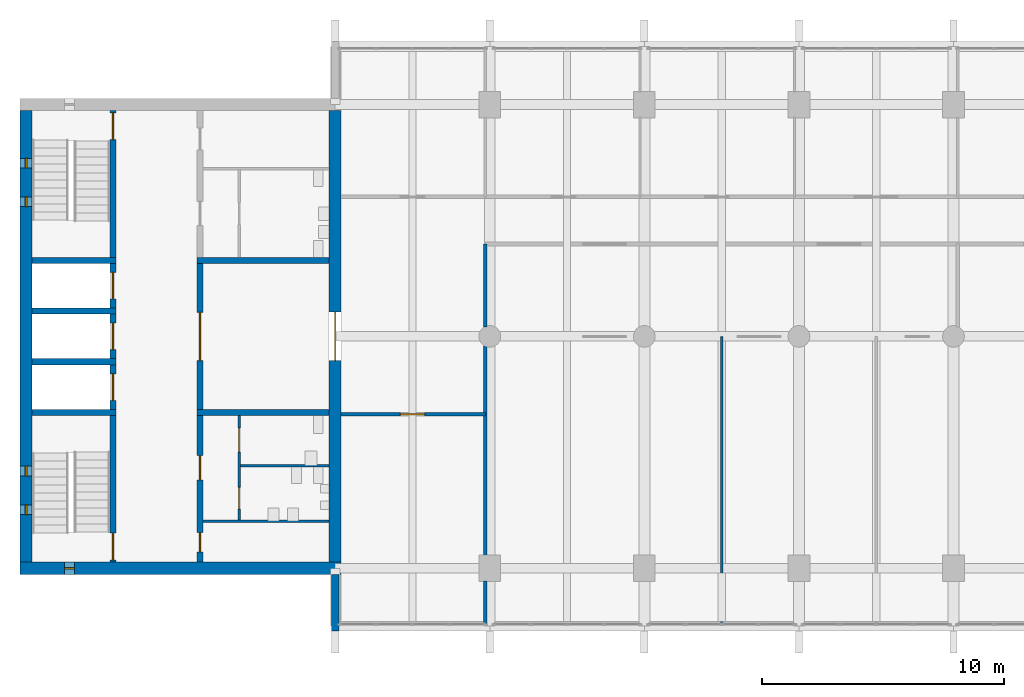
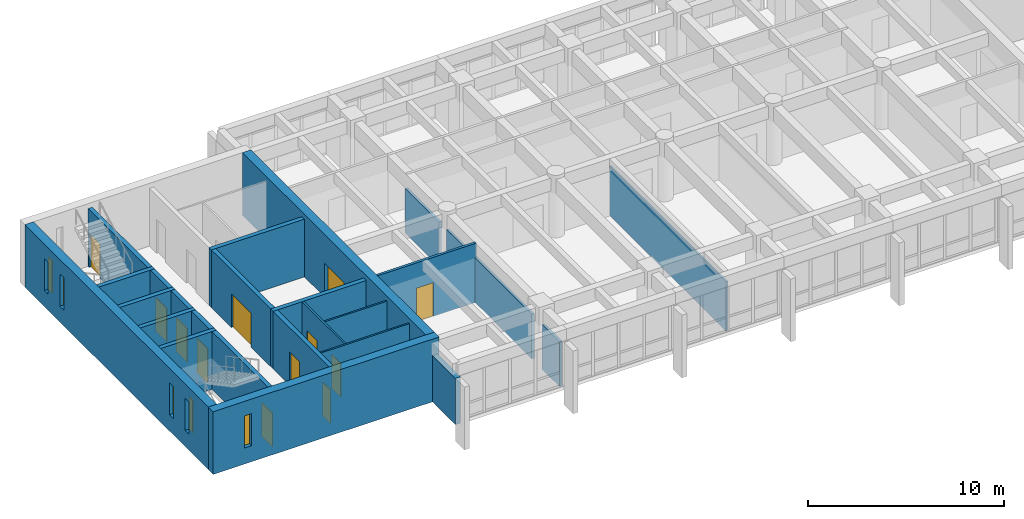
# One storey, part 9 of 15: 25 walls, 12 doors, 5 windows, 17 openings.
"""IFC4 building model written with IfcOpenShell, lengths in metres."""

from ifc_helpers import new_model, si_unit, direction, frame, frame_2d, origin, place, context, subcontext, project, spatial, rectangle, extrude, material, layer, layer_set, type_object, element, fill, save


model = new_model("IFC4")

# Units and contexts
model_context = context("Model", 3, precision=1e-05, world=origin(), true_north=direction((0.0, 1.0)))
body_context = subcontext(model_context, "Body", "Model", "MODEL_VIEW")
ifc_project = project(units=[si_unit("LENGTHUNIT", "METRE"), si_unit("AREAUNIT", "SQUARE_METRE"), si_unit("VOLUMEUNIT", "CUBIC_METRE"), si_unit("PLANEANGLEUNIT", "RADIAN"), si_unit("MASSUNIT", "GRAM", prefix="KILO")], contexts=[model_context])

# Site, building, storey
site_placement = place(None, origin())
site = spatial("IfcSite", under=ifc_project, at=site_placement, CompositionType="ELEMENT")
building_placement = place(site_placement, origin())
building = spatial("IfcBuilding", under=site, at=building_placement, Name="Fogon Plaza Fire Station and Headquarters Tower", CompositionType="ELEMENT")
storey_placement = place(building_placement, frame((0.0, 0.0, 44.39990234375)))
storey = spatial("IfcBuildingStorey", under=building, at=storey_placement, Name="L11", CompositionType="ELEMENT", Elevation=44.39990234375)

# Walls
ifc_material_1 = material(Name="Concrete C40", Category="concrete")
ifc_layer_1 = layer(ifc_material_1, 0.25)
ifc_layer_set_1 = layer_set([ifc_layer_1], Name="Concrete C40")
wall_type_1 = type_object("IfcWallType", Name="Core Wall RC 250", PredefinedType="SOLIDWALL", material=ifc_layer_set_1)
for number, where, z_axis, x_axis, name in (
    (1, (13.050048828125, 40.050048828125, 0.0), (0.0, 0.0, 1.0), (1.0, 0.0, 0.0), "Core A shaft wall"),
    (2, (13.050048828125, 42.14990234375, 0.0), (0.0, 0.0, 1.0), (1.0, 0.0, 0.0), "Core A shaft wall"),
    (3, (13.050048828125, 44.25, 0.0), (0.0, 0.0, 1.0), (1.0, 0.0, 0.0), "Core A shaft wall"),
    (4, (13.050048828125, 46.35009765625, 0.0), (0.0, 0.0, 1.0), (1.0, 0.0, 0.0), "Core A shaft wall"),
):
    element("IfcWall", number, at=place(storey_placement, frame(where, z_axis=z_axis, x_axis=x_axis)), inside=storey, type_object=wall_type_1, Name=name, PredefinedType="SOLIDWALL", context=body_context, shape_type="SweptSolid", body=[
        extrude(rectangle(XDim=3.474853515625, YDim=0.25, at=frame_2d((1.7373046875, 0.0))), origin(), (0.0, 0.0, 1.0), 3.60009765625),
    ])

# Wall, opening, door
wall_1_placement = place(storey_placement, frame((16.39990234375, 33.85009765625, 0.0), z_axis=(0.0, 0.0, 1.0), x_axis=(0.0, 1.0, 0.0)))
wall_1 = element("IfcWall", 5, at=wall_1_placement, inside=storey, type_object=wall_type_1, Name="Core A shaft wall", PredefinedType="SOLIDWALL", context=body_context, shape_type="SweptSolid", body=[
    extrude(rectangle(XDim=6.074951171875, YDim=0.25, at=frame_2d((3.03759765625, 0.0))), origin(), (0.0, 0.0, 1.0), 3.60009765625),
])
opening_1_placement = place(wall_1_placement, frame((0.10009765625, 0.0, 0.0)))
opening_1 = element("IfcOpeningElement", 6, at=opening_1_placement, cuts=wall_1, Name="Opening L11-D01", PredefinedType="OPENING", context=body_context, shape_type="SweptSolid", body=[
    extrude(rectangle(XDim=1.10009765625, YDim=2.10009765625, at=frame_2d((0.550048828125, 1.050048828125))), frame((0.0, 0.135009765625, 0.0), z_axis=(0.0, -1.0, 0.0), x_axis=(1.0, 0.0, 0.0)), (0.0, 0.0, 1.0), 0.27001953125),
])
ifc_material_2 = material(Name="Steel Fire Door Leaf", Category="steel")
door_type_1 = type_object("IfcDoorType", Name="Stair Door Single 1100x2100", OperationType="SINGLE_SWING_LEFT", PredefinedType="DOOR", material=ifc_material_2)
door_1_placement = place(opening_1_placement, origin())
door_1 = element("IfcDoor", 7, at=door_1_placement, inside=storey, type_object=door_type_1, Name="Stair door ST1", OperationType="SINGLE_SWING_LEFT", OverallHeight=2.10009765625, OverallWidth=1.10009765625, PredefinedType="DOOR", context=body_context, shape_type="SweptSolid", body=[
    extrude(rectangle(XDim=1.10009765625, YDim=2.10009765625, at=frame_2d((0.550048828125, 1.050048828125))), frame((0.0, 0.02490234375, 0.0), z_axis=(0.0, -1.0, 0.0), x_axis=(1.0, 0.0, 0.0)), (0.0, 0.0, 1.0), 0.050048828125),
])
fill(opening_1, door_1)

wall_2_placement = place(storey_placement, frame((16.39990234375, 40.175048828125, 0.0), z_axis=(0.0, 0.0, 1.0), x_axis=(0.0, 1.0, 0.0)))
wall_2 = element("IfcWall", 8, at=wall_2_placement, inside=storey, type_object=wall_type_1, Name="Core A shaft wall", PredefinedType="SOLIDWALL", context=body_context, shape_type="SweptSolid", body=[
    extrude(rectangle(XDim=1.849853515625, YDim=0.25, at=frame_2d((0.9248046875, 0.0))), origin(), (0.0, 0.0, 1.0), 3.60009765625),
])
opening_2_placement = place(wall_2_placement, frame((0.375, 0.0, 0.0)))
opening_2 = element("IfcOpeningElement", 9, at=opening_2_placement, cuts=wall_2, Name="Opening L11-D03", PredefinedType="OPENING", context=body_context, shape_type="SweptSolid", body=[
    extrude(rectangle(XDim=1.10009765625, YDim=2.10009765625, at=frame_2d((0.550048828125, 1.050048828125))), frame((0.0, 0.135009765625, 0.0), z_axis=(0.0, -1.0, 0.0), x_axis=(1.0, 0.0, 0.0)), (0.0, 0.0, 1.0), 0.27001953125),
])
ifc_material_3 = material(Name="Stainless Steel", Category="steel")
door_type_2 = type_object("IfcDoorType", Name="Lift Landing Door 1100x2100", OperationType="SLIDING_TO_LEFT", PredefinedType="DOOR", material=ifc_material_3)
door_2_placement = place(opening_2_placement, origin())
door_2 = element("IfcDoor", 10, at=door_2_placement, inside=storey, type_object=door_type_2, Name="Lift LP1 landing door", OperationType="SLIDING_TO_LEFT", OverallHeight=2.10009765625, OverallWidth=1.10009765625, PredefinedType="DOOR", context=body_context, shape_type="SweptSolid", body=[
    extrude(rectangle(XDim=1.10009765625, YDim=2.10009765625, at=frame_2d((0.550048828125, 1.050048828125))), frame((0.0, 0.02490234375, 0.0), z_axis=(0.0, -1.0, 0.0), x_axis=(1.0, 0.0, 0.0)), (0.0, 0.0, 1.0), 0.050048828125),
])
fill(opening_2, door_2)

wall_3_placement = place(storey_placement, frame((16.39990234375, 42.27490234375, 0.0), z_axis=(0.0, 0.0, 1.0), x_axis=(0.0, 1.0, 0.0)))
wall_3 = element("IfcWall", 11, at=wall_3_placement, inside=storey, type_object=wall_type_1, Name="Core A shaft wall", PredefinedType="SOLIDWALL", context=body_context, shape_type="SweptSolid", body=[
    extrude(rectangle(XDim=1.85009765625, YDim=0.25, at=frame_2d((0.925048828125, 0.0))), origin(), (0.0, 0.0, 1.0), 3.60009765625),
])
opening_3_placement = place(wall_3_placement, frame((0.375, 0.0, 0.0)))
opening_3 = element("IfcOpeningElement", 12, at=opening_3_placement, cuts=wall_3, Name="Opening L11-D04", PredefinedType="OPENING", context=body_context, shape_type="SweptSolid", body=[
    extrude(rectangle(XDim=1.10009765625, YDim=2.10009765625, at=frame_2d((0.550048828125, 1.050048828125))), frame((0.0, 0.135009765625, 0.0), z_axis=(0.0, -1.0, 0.0), x_axis=(1.0, 0.0, 0.0)), (0.0, 0.0, 1.0), 0.27001953125),
])
door_3_placement = place(opening_3_placement, origin())
door_3 = element("IfcDoor", 13, at=door_3_placement, inside=storey, type_object=door_type_2, Name="Lift LP2 landing door", OperationType="SLIDING_TO_LEFT", OverallHeight=2.10009765625, OverallWidth=1.10009765625, PredefinedType="DOOR", context=body_context, shape_type="SweptSolid", body=[
    extrude(rectangle(XDim=1.10009765625, YDim=2.10009765625, at=frame_2d((0.550048828125, 1.050048828125))), frame((0.0, 0.02490234375, 0.0), z_axis=(0.0, -1.0, 0.0), x_axis=(1.0, 0.0, 0.0)), (0.0, 0.0, 1.0), 0.050048828125),
])
fill(opening_3, door_3)

wall_4_placement = place(storey_placement, frame((16.39990234375, 44.375, 0.0), z_axis=(0.0, 0.0, 1.0), x_axis=(0.0, 1.0, 0.0)))
wall_4 = element("IfcWall", 14, at=wall_4_placement, inside=storey, type_object=wall_type_1, Name="Core A shaft wall", PredefinedType="SOLIDWALL", context=body_context, shape_type="SweptSolid", body=[
    extrude(rectangle(XDim=1.85009765625, YDim=0.25, at=frame_2d((0.925048828125, 0.0))), origin(), (0.0, 0.0, 1.0), 3.60009765625),
])
opening_4_placement = place(wall_4_placement, frame((0.375, 0.0, 0.0)))
opening_4 = element("IfcOpeningElement", 15, at=opening_4_placement, cuts=wall_4, Name="Opening L11-D05", PredefinedType="OPENING", context=body_context, shape_type="SweptSolid", body=[
    extrude(rectangle(XDim=1.10009765625, YDim=2.10009765625, at=frame_2d((0.550048828125, 1.050048828125))), frame((0.0, 0.135009765625, 0.0), z_axis=(0.0, -1.0, 0.0), x_axis=(1.0, 0.0, 0.0)), (0.0, 0.0, 1.0), 0.27001953125),
])
door_4_placement = place(opening_4_placement, origin())
door_4 = element("IfcDoor", 16, at=door_4_placement, inside=storey, type_object=door_type_2, Name="Lift FL1 landing door", OperationType="SLIDING_TO_LEFT", OverallHeight=2.10009765625, OverallWidth=1.10009765625, PredefinedType="DOOR", context=body_context, shape_type="SweptSolid", body=[
    extrude(rectangle(XDim=1.10009765625, YDim=2.10009765625, at=frame_2d((0.550048828125, 1.050048828125))), frame((0.0, 0.02490234375, 0.0), z_axis=(0.0, -1.0, 0.0), x_axis=(1.0, 0.0, 0.0)), (0.0, 0.0, 1.0), 0.050048828125),
])
fill(opening_4, door_4)

wall_5_placement = place(storey_placement, frame((16.39990234375, 46.47509765625, 0.0), z_axis=(0.0, 0.0, 1.0), x_axis=(0.0, 1.0, 0.0)))
wall_5 = element("IfcWall", 17, at=wall_5_placement, inside=storey, type_object=wall_type_1, Name="Core A shaft wall", PredefinedType="SOLIDWALL", context=body_context, shape_type="SweptSolid", body=[
    extrude(rectangle(XDim=6.074951171875, YDim=0.25, at=frame_2d((3.03759765625, 0.0))), origin(), (0.0, 0.0, 1.0), 3.60009765625),
])
opening_5_placement = place(wall_5_placement, frame((4.875, 0.0, 0.0)))
opening_5 = element("IfcOpeningElement", 18, at=opening_5_placement, cuts=wall_5, Name="Opening L11-D02", PredefinedType="OPENING", context=body_context, shape_type="SweptSolid", body=[
    extrude(rectangle(XDim=1.10009765625, YDim=2.10009765625, at=frame_2d((0.550048828125, 1.050048828125))), frame((0.0, 0.135009765625, 0.0), z_axis=(0.0, -1.0, 0.0), x_axis=(1.0, 0.0, 0.0)), (0.0, 0.0, 1.0), 0.27001953125),
])
door_5_placement = place(opening_5_placement, origin())
door_5 = element("IfcDoor", 19, at=door_5_placement, inside=storey, type_object=door_type_1, Name="Stair door ST2", OperationType="SINGLE_SWING_RIGHT", OverallHeight=2.10009765625, OverallWidth=1.10009765625, PredefinedType="DOOR", context=body_context, shape_type="SweptSolid", body=[
    extrude(rectangle(XDim=1.10009765625, YDim=2.10009765625, at=frame_2d((0.550048828125, 1.050048828125))), frame((0.0, 0.02490234375, 0.0), z_axis=(0.0, -1.0, 0.0), x_axis=(1.0, 0.0, 0.0)), (0.0, 0.0, 1.0), 0.050048828125),
])
fill(opening_5, door_5)

# Wall, openings, doors
wall_6_placement = place(storey_placement, frame((20.0, 33.85009765625, 0.0), z_axis=(0.0, 0.0, 1.0), x_axis=(0.0, 1.0, 0.0)))
wall_6 = element("IfcWall", 20, at=wall_6_placement, inside=storey, type_object=wall_type_1, Name="Core A shaft wall", PredefinedType="SOLIDWALL", context=body_context, shape_type="SweptSolid", body=[
    extrude(rectangle(XDim=6.074951171875, YDim=0.25, at=frame_2d((3.03759765625, 0.0))), origin(), (0.0, 0.0, 1.0), 3.60009765625),
])
opening_6_placement = place(wall_6_placement, frame((0.425048828125, 0.0, 0.0)))
opening_6 = element("IfcOpeningElement", 21, at=opening_6_placement, cuts=wall_6, Name="Opening L11-D08", PredefinedType="OPENING", context=body_context, shape_type="SweptSolid", body=[
    extrude(rectangle(XDim=0.800048828125, YDim=2.10009765625, at=frame_2d((0.39990234375, 1.050048828125))), frame((0.0, 0.135009765625, 0.0), z_axis=(0.0, -1.0, 0.0), x_axis=(1.0, 0.0, 0.0)), (0.0, 0.0, 1.0), 0.27001953125),
])
opening_7_placement = place(wall_6_placement, frame((3.41259765625, 0.0, 0.0)))
opening_7 = element("IfcOpeningElement", 22, at=opening_7_placement, cuts=wall_6, Name="Opening L11-D09", PredefinedType="OPENING", context=body_context, shape_type="SweptSolid", body=[
    extrude(rectangle(XDim=1.0, YDim=2.10009765625, at=frame_2d((0.5, 1.050048828125))), frame((0.0, 0.135009765625, 0.0), z_axis=(0.0, -1.0, 0.0), x_axis=(1.0, 0.0, 0.0)), (0.0, 0.0, 1.0), 0.27001953125),
])
ifc_material_4 = material(Name="Timber Door Leaf", Category="wood")
door_type_3 = type_object("IfcDoorType", Name="Cleaner Store Single 800x2100", OperationType="SINGLE_SWING_LEFT", PredefinedType="DOOR", material=ifc_material_4)
door_6_placement = place(opening_6_placement, frame((0.800048828125, 0.0, 0.0), z_axis=(0.0, 0.0, 1.0), x_axis=(-1.0, 0.0, 0.0)))
door_6 = element("IfcDoor", 23, at=door_6_placement, inside=storey, type_object=door_type_3, Name="Cleaner's store A door", OperationType="SINGLE_SWING_LEFT", OverallHeight=2.10009765625, OverallWidth=0.800048828125, PredefinedType="DOOR", context=body_context, shape_type="SweptSolid", body=[
    extrude(rectangle(XDim=0.800048828125, YDim=2.10009765625, at=frame_2d((0.39990234375, 1.050048828125))), frame((0.0, 0.02490234375, 0.0), z_axis=(0.0, -1.0, 0.0), x_axis=(1.0, 0.0, 0.0)), (0.0, 0.0, 1.0), 0.050048828125),
])
fill(opening_6, door_6)
ifc_material_5 = material(Name="Timber fire door", Category="wood")
door_type_4 = type_object("IfcDoorType", Name="WC Lobby Single 1000x2100", OperationType="SINGLE_SWING_LEFT", PredefinedType="DOOR", material=ifc_material_5)
door_7_placement = place(opening_7_placement, frame((1.0, 0.0, 0.0), z_axis=(0.0, 0.0, 1.0), x_axis=(-1.0, 0.0, 0.0)))
door_7 = element("IfcDoor", 24, at=door_7_placement, inside=storey, type_object=door_type_4, Name="Men's WC lobby A door", OperationType="SINGLE_SWING_RIGHT", OverallHeight=2.10009765625, OverallWidth=1.0, PredefinedType="DOOR", context=body_context, shape_type="SweptSolid", body=[
    extrude(rectangle(XDim=1.0, YDim=2.10009765625, at=frame_2d((0.5, 1.050048828125))), frame((0.0, 0.02490234375, 0.0), z_axis=(0.0, -1.0, 0.0), x_axis=(1.0, 0.0, 0.0)), (0.0, 0.0, 1.0), 0.050048828125),
])
fill(opening_7, door_7)

# Wall, opening, door
wall_7_placement = place(storey_placement, frame((20.0, 40.175048828125, 0.0), z_axis=(0.0, 0.0, 1.0), x_axis=(0.0, 1.0, 0.0)))
wall_7 = element("IfcWall", 25, at=wall_7_placement, inside=storey, type_object=wall_type_1, Name="Core A shaft wall", PredefinedType="SOLIDWALL", context=body_context, shape_type="SweptSolid", body=[
    extrude(rectangle(XDim=6.050048828125, YDim=0.25, at=frame_2d((3.02490234375, 0.0))), origin(), (0.0, 0.0, 1.0), 3.60009765625),
])
opening_8_placement = place(wall_7_placement, frame((2.02490234375, 0.0, 0.0)))
opening_8 = element("IfcOpeningElement", 26, at=opening_8_placement, cuts=wall_7, Name="Opening L11-D06", PredefinedType="OPENING", context=body_context, shape_type="SweptSolid", body=[
    extrude(rectangle(XDim=2.0, YDim=2.10009765625, at=frame_2d((1.0, 1.050048828125))), frame((0.0, 0.135009765625, 0.0), z_axis=(0.0, -1.0, 0.0), x_axis=(1.0, 0.0, 0.0)), (0.0, 0.0, 1.0), 0.27001953125),
])
ifc_material_6 = material(Name="Steel Fire Door Leaf", Category="steel")
door_type_5 = type_object("IfcDoorType", Name="Vestibule Double 2000x2100", OperationType="DOUBLE_DOOR_SINGLE_SWING", PredefinedType="DOOR", material=ifc_material_6)
door_8_placement = place(opening_8_placement, frame((2.0, 0.0, 0.0), z_axis=(0.0, 0.0, 1.0), x_axis=(-1.0, 0.0, 0.0)))
door_8 = element("IfcDoor", 27, at=door_8_placement, inside=storey, type_object=door_type_5, Name="Vestibule A door", OperationType="DOUBLE_DOOR_SINGLE_SWING", OverallHeight=2.10009765625, OverallWidth=2.0, PredefinedType="DOOR", context=body_context, shape_type="SweptSolid", body=[
    extrude(rectangle(XDim=2.0, YDim=2.10009765625, at=frame_2d((1.0, 1.050048828125))), frame((0.0, 0.02490234375, 0.0), z_axis=(0.0, -1.0, 0.0), x_axis=(1.0, 0.0, 0.0)), (0.0, 0.0, 1.0), 0.050048828125),
])
fill(opening_8, door_8)

# Walls
for number, where, z_axis, x_axis, name in (
    (28, (19.875, 40.050048828125, 0.0), (0.0, 0.0, 1.0), (1.0, 0.0, 0.0), "Core A shaft wall"),
    (29, (19.875, 46.35009765625, 0.0), (0.0, 0.0, 1.0), (1.0, 0.0, 0.0), "Core A shaft wall"),
):
    element("IfcWall", number, at=place(storey_placement, frame(where, z_axis=z_axis, x_axis=x_axis)), inside=storey, type_object=wall_type_1, Name=name, PredefinedType="SOLIDWALL", context=body_context, shape_type="SweptSolid", body=[
        extrude(rectangle(XDim=5.47509765625, YDim=0.25, at=frame_2d((2.737548828125, 0.0))), origin(), (0.0, 0.0, 1.0), 3.60009765625),
    ])
ifc_material_7 = material(Name="Concrete C40", Category="concrete")
ifc_layer_2 = layer(ifc_material_7, 0.300048828125)
ifc_layer_set_2 = layer_set([ifc_layer_2], Name="Concrete C40")
wall_type_2 = type_object("IfcWallType", Name="Fair-faced RC Return Panel 300", PredefinedType="SOLIDWALL", material=ifc_layer_set_2)
wall_8_placement = place(storey_placement, frame((25.60009765625, 31.0, 0.0), z_axis=(0.0, 0.0, 1.0), x_axis=(0.0, 1.0, 0.0)))
element("IfcWall", 30, at=wall_8_placement, inside=storey, type_object=wall_type_2, Name="Bar end return WS L11", PredefinedType="SOLIDWALL", context=body_context, shape_type="SweptSolid", body=[
    extrude(rectangle(XDim=2.35009765625, YDim=0.300048828125, at=frame_2d((1.175048828125, 0.0))), origin(), (0.0, 0.0, 1.0), 2.880126953125),
])
ifc_material_8 = material(Name="Blockwork", Category="masonry")
ifc_layer_3 = layer(ifc_material_8, 0.10009765625)
ifc_layer_set_3 = layer_set([ifc_layer_3], Name="Blockwork")
wall_type_3 = type_object("IfcWallType", Name="Partition Blockwork 100", PredefinedType="PARTITIONING", material=ifc_layer_set_3)
wall_9_placement = place(storey_placement, frame((20.125, 35.550048828125, 0.0), z_axis=(0.0, 0.0, 1.0), x_axis=(1.0, 0.0, 0.0)))
element("IfcWall", 31, at=wall_9_placement, inside=storey, type_object=wall_type_3, Name="Cleaner's store partition", PredefinedType="PARTITIONING", context=body_context, shape_type="SweptSolid", body=[
    extrude(rectangle(XDim=5.22509765625, YDim=0.10009765625, at=frame_2d((2.612548828125, 0.0))), origin(), (0.0, 0.0, 1.0), 3.60009765625),
])

# Wall, openings, doors
wall_10_placement = place(storey_placement, frame((21.625, 35.60009765625, 0.0), z_axis=(0.0, 0.0, 1.0), x_axis=(0.0, 1.0, 0.0)))
wall_10 = element("IfcWall", 32, at=wall_10_placement, inside=storey, type_object=wall_type_3, Name="WC block partition", PredefinedType="PARTITIONING", context=body_context, shape_type="SweptSolid", body=[
    extrude(rectangle(XDim=4.324951171875, YDim=0.10009765625, at=frame_2d((2.16259765625, 0.0))), origin(), (0.0, 0.0, 1.0), 3.60009765625),
])
opening_9_placement = place(wall_10_placement, frame((0.449951171875, 0.0, 0.0)))
opening_9 = element("IfcOpeningElement", 33, at=opening_9_placement, cuts=wall_10, Name="Opening L11-D10", PredefinedType="OPENING", context=body_context, shape_type="SweptSolid", body=[
    extrude(rectangle(XDim=0.89990234375, YDim=2.10009765625, at=frame_2d((0.449951171875, 1.050048828125))), frame((0.0, 0.06005859375, 0.0), z_axis=(0.0, -1.0, 0.0), x_axis=(1.0, 0.0, 0.0)), (0.0, 0.0, 1.0), 0.1201171875),
])
opening_10_placement = place(wall_10_placement, frame((2.8125, 0.0, 0.0)))
opening_10 = element("IfcOpeningElement", 34, at=opening_10_placement, cuts=wall_10, Name="Opening L11-D11", PredefinedType="OPENING", context=body_context, shape_type="SweptSolid", body=[
    extrude(rectangle(XDim=1.0, YDim=2.10009765625, at=frame_2d((0.5, 1.050048828125))), frame((0.0, 0.06005859375, 0.0), z_axis=(0.0, -1.0, 0.0), x_axis=(1.0, 0.0, 0.0)), (0.0, 0.0, 1.0), 0.1201171875),
])
ifc_material_9 = material(Name="Timber Door Leaf", Category="wood")
door_type_6 = type_object("IfcDoorType", Name="Accessible WC Single 1000x2100", OperationType="SINGLE_SWING_LEFT", PredefinedType="DOOR", material=ifc_material_9)
door_9_placement = place(opening_10_placement, frame((1.0, 0.0, 0.0), z_axis=(0.0, 0.0, 1.0), x_axis=(-1.0, 0.0, 0.0)))
door_9 = element("IfcDoor", 35, at=door_9_placement, inside=storey, type_object=door_type_6, Name="Accessible WC A door", OperationType="SINGLE_SWING_RIGHT", OverallHeight=2.10009765625, OverallWidth=1.0, PredefinedType="DOOR", context=body_context, shape_type="SweptSolid", body=[
    extrude(rectangle(XDim=1.0, YDim=2.10009765625, at=frame_2d((0.5, 1.050048828125))), frame((0.0, 0.02490234375, 0.0), z_axis=(0.0, -1.0, 0.0), x_axis=(1.0, 0.0, 0.0)), (0.0, 0.0, 1.0), 0.050048828125),
])
fill(opening_10, door_9)
ifc_material_10 = material(Name="Timber Door Leaf", Category="wood")
door_type_7 = type_object("IfcDoorType", Name="WC Single 900x2100", OperationType="SINGLE_SWING_LEFT", PredefinedType="DOOR", material=ifc_material_10)
door_10_placement = place(opening_9_placement, frame((0.89990234375, 0.0, 0.0), z_axis=(0.0, 0.0, 1.0), x_axis=(-1.0, 0.0, 0.0)))
door_10 = element("IfcDoor", 36, at=door_10_placement, inside=storey, type_object=door_type_7, Name="Men's WC A door", OperationType="SINGLE_SWING_RIGHT", OverallHeight=2.10009765625, OverallWidth=0.89990234375, PredefinedType="DOOR", context=body_context, shape_type="SweptSolid", body=[
    extrude(rectangle(XDim=0.89990234375, YDim=2.10009765625, at=frame_2d((0.449951171875, 1.050048828125))), frame((0.0, 0.02490234375, 0.0), z_axis=(0.0, -1.0, 0.0), x_axis=(1.0, 0.0, 0.0)), (0.0, 0.0, 1.0), 0.050048828125),
])
fill(opening_9, door_10)

# Wall
wall_11_placement = place(storey_placement, frame((21.675048828125, 37.85009765625, 0.0), z_axis=(0.0, 0.0, 1.0), x_axis=(1.0, 0.0, 0.0)))
element("IfcWall", 37, at=wall_11_placement, inside=storey, type_object=wall_type_3, Name="WC block partition", PredefinedType="PARTITIONING", context=body_context, shape_type="SweptSolid", body=[
    extrude(rectangle(XDim=3.675048828125, YDim=0.10009765625, at=frame_2d((1.83740234375, 0.0))), origin(), (0.0, 0.0, 1.0), 3.60009765625),
])

# Wall, opening, window
ifc_material_11 = material(Name="Concrete C40", Category="concrete")
ifc_layer_4 = layer(ifc_material_11, 0.5)
ifc_layer_set_4 = layer_set([ifc_layer_4], Name="Concrete C40")
wall_type_4 = type_object("IfcWallType", Name="Shear wall 500 SW50", PredefinedType="SHEAR", material=ifc_layer_set_4)
wall_12_placement = place(storey_placement, frame((12.550048828125, 33.60009765625, 0.0), z_axis=(0.0, 0.0, 1.0), x_axis=(1.0, 0.0, 0.0)))
wall_12 = element("IfcWall", 38, at=wall_12_placement, inside=storey, type_object=wall_type_4, Name="wall-coreA-S-L11", PredefinedType="SHEAR", context=body_context, shape_type="SweptSolid", body=[
    extrude(rectangle(XDim=13.300048828125, YDim=0.5, at=frame_2d((6.64990234375, 0.0))), origin(), (0.0, 0.0, 1.0), 3.900146484375),
])
opening_11_placement = place(wall_12_placement, frame((1.85009765625, 0.0, 1.0)))
opening_11 = element("IfcOpeningElement", 39, at=opening_11_placement, cuts=wall_12, Name="Opening WS1", PredefinedType="OPENING", context=body_context, shape_type="SweptSolid", body=[
    extrude(rectangle(XDim=0.39990234375, YDim=2.0, at=frame_2d((0.199951171875, 1.0))), frame((0.0, 0.260009765625, 0.0), z_axis=(0.0, -1.0, 0.0), x_axis=(1.0, 0.0, 0.0)), (0.0, 0.0, 1.0), 0.52001953125),
])
ifc_material_12 = material(Name="Aluminium framed double glazing", Category="aluminium")
window_type = type_object("IfcWindowType", Name="Slit Window WS1 400x2000", PartitioningType="SINGLE_PANEL", PredefinedType="WINDOW", material=ifc_material_12)
window_1_placement = place(opening_11_placement, origin())
window_1 = element("IfcWindow", 40, at=window_1_placement, inside=storey, type_object=window_type, Name="Slit window A5 L11", OverallHeight=2.0, OverallWidth=0.39990234375, PartitioningType="SINGLE_PANEL", PredefinedType="WINDOW", context=body_context, shape_type="SweptSolid", body=[
    extrude(rectangle(XDim=0.39990234375, YDim=2.0, at=frame_2d((0.199951171875, 1.0))), frame((0.0, 0.030029296875, 0.0), z_axis=(0.0, -1.0, 0.0), x_axis=(1.0, 0.0, 0.0)), (0.0, 0.0, 1.0), 0.06005859375),
])
fill(opening_11, window_1)

# Wall, opening, door
wall_13_placement = place(storey_placement, frame((25.60009765625, 33.85009765625, 0.0), z_axis=(0.0, 0.0, 1.0), x_axis=(0.0, 1.0, 0.0)))
wall_13 = element("IfcWall", 41, at=wall_13_placement, inside=storey, type_object=wall_type_4, Name="wall-coreA-E-L11", PredefinedType="SHEAR", context=body_context, shape_type="SweptSolid", body=[
    extrude(rectangle(XDim=18.699951171875, YDim=0.5, at=frame_2d((9.35009765625, 0.0))), origin(), (0.0, 0.0, 1.0), 3.900146484375),
])
opening_12_placement = place(wall_13_placement, frame((8.35009765625, 0.0, 0.0)))
opening_12 = element("IfcOpeningElement", 42, at=opening_12_placement, cuts=wall_13, Name="Opening L11-D07", PredefinedType="OPENING", context=body_context, shape_type="SweptSolid", body=[
    extrude(rectangle(XDim=2.0, YDim=2.10009765625, at=frame_2d((1.0, 1.050048828125))), frame((0.0, 0.260009765625, 0.0), z_axis=(0.0, -1.0, 0.0), x_axis=(1.0, 0.0, 0.0)), (0.0, 0.0, 1.0), 0.52001953125),
])
door_11_placement = place(opening_12_placement, origin())
door_11 = element("IfcDoor", 43, at=door_11_placement, inside=storey, type_object=door_type_5, Name="Vestibule A door to the office zone", OperationType="DOUBLE_DOOR_SINGLE_SWING", OverallHeight=2.10009765625, OverallWidth=2.0, PredefinedType="DOOR", context=body_context, shape_type="SweptSolid", body=[
    extrude(rectangle(XDim=2.0, YDim=2.10009765625, at=frame_2d((1.0, 1.050048828125))), frame((0.0, 0.02490234375, 0.0), z_axis=(0.0, -1.0, 0.0), x_axis=(1.0, 0.0, 0.0)), (0.0, 0.0, 1.0), 0.050048828125),
])
fill(opening_12, door_11)

# Wall, openings, windows
wall_14_placement = place(storey_placement, frame((12.800048828125, 33.85009765625, 0.0), z_axis=(0.0, 0.0, 1.0), x_axis=(0.0, 1.0, 0.0)))
wall_14 = element("IfcWall", 44, at=wall_14_placement, inside=storey, type_object=wall_type_4, Name="wall-coreA-W-L11", PredefinedType="SHEAR", context=body_context, shape_type="SweptSolid", body=[
    extrude(rectangle(XDim=18.699951171875, YDim=0.5, at=frame_2d((9.35009765625, 0.0))), origin(), (0.0, 0.0, 1.0), 3.900146484375),
])
opening_13_placement = place(wall_14_placement, frame((1.97509765625, 0.0, 1.0)))
opening_13 = element("IfcOpeningElement", 45, at=opening_13_placement, cuts=wall_14, Name="Opening WS1", PredefinedType="OPENING", context=body_context, shape_type="SweptSolid", body=[
    extrude(rectangle(XDim=0.39990234375, YDim=2.0, at=frame_2d((0.199951171875, 1.0))), frame((0.0, 0.260009765625, 0.0), z_axis=(0.0, -1.0, 0.0), x_axis=(1.0, 0.0, 0.0)), (0.0, 0.0, 1.0), 0.52001953125),
])
opening_14_placement = place(wall_14_placement, frame((3.574951171875, 0.0, 1.0)))
opening_14 = element("IfcOpeningElement", 46, at=opening_14_placement, cuts=wall_14, Name="Opening WS1", PredefinedType="OPENING", context=body_context, shape_type="SweptSolid", body=[
    extrude(rectangle(XDim=0.39990234375, YDim=2.0, at=frame_2d((0.199951171875, 1.0))), frame((0.0, 0.260009765625, 0.0), z_axis=(0.0, -1.0, 0.0), x_axis=(1.0, 0.0, 0.0)), (0.0, 0.0, 1.0), 0.52001953125),
])
opening_15_placement = place(wall_14_placement, frame((14.72509765625, 0.0, 1.0)))
opening_15 = element("IfcOpeningElement", 47, at=opening_15_placement, cuts=wall_14, Name="Opening WS1", PredefinedType="OPENING", context=body_context, shape_type="SweptSolid", body=[
    extrude(rectangle(XDim=0.39990234375, YDim=2.0, at=frame_2d((0.199951171875, 1.0))), frame((0.0, 0.260009765625, 0.0), z_axis=(0.0, -1.0, 0.0), x_axis=(1.0, 0.0, 0.0)), (0.0, 0.0, 1.0), 0.52001953125),
])
opening_16_placement = place(wall_14_placement, frame((16.324951171875, 0.0, 1.0)))
opening_16 = element("IfcOpeningElement", 48, at=opening_16_placement, cuts=wall_14, Name="Opening WS1", PredefinedType="OPENING", context=body_context, shape_type="SweptSolid", body=[
    extrude(rectangle(XDim=0.39990234375, YDim=2.0, at=frame_2d((0.199951171875, 1.0))), frame((0.0, 0.260009765625, 0.0), z_axis=(0.0, -1.0, 0.0), x_axis=(1.0, 0.0, 0.0)), (0.0, 0.0, 1.0), 0.52001953125),
])
window_2_placement = place(opening_13_placement, origin())
window_2 = element("IfcWindow", 49, at=window_2_placement, inside=storey, type_object=window_type, Name="Slit window A1 L11", OverallHeight=2.0, OverallWidth=0.39990234375, PartitioningType="SINGLE_PANEL", PredefinedType="WINDOW", context=body_context, shape_type="SweptSolid", body=[
    extrude(rectangle(XDim=0.39990234375, YDim=2.0, at=frame_2d((0.199951171875, 1.0))), frame((0.0, 0.030029296875, 0.0), z_axis=(0.0, -1.0, 0.0), x_axis=(1.0, 0.0, 0.0)), (0.0, 0.0, 1.0), 0.06005859375),
])
fill(opening_13, window_2)
window_3_placement = place(opening_14_placement, origin())
window_3 = element("IfcWindow", 50, at=window_3_placement, inside=storey, type_object=window_type, Name="Slit window A2 L11", OverallHeight=2.0, OverallWidth=0.39990234375, PartitioningType="SINGLE_PANEL", PredefinedType="WINDOW", context=body_context, shape_type="SweptSolid", body=[
    extrude(rectangle(XDim=0.39990234375, YDim=2.0, at=frame_2d((0.199951171875, 1.0))), frame((0.0, 0.030029296875, 0.0), z_axis=(0.0, -1.0, 0.0), x_axis=(1.0, 0.0, 0.0)), (0.0, 0.0, 1.0), 0.06005859375),
])
fill(opening_14, window_3)
window_4_placement = place(opening_15_placement, origin())
window_4 = element("IfcWindow", 51, at=window_4_placement, inside=storey, type_object=window_type, Name="Slit window A3 L11", OverallHeight=2.0, OverallWidth=0.39990234375, PartitioningType="SINGLE_PANEL", PredefinedType="WINDOW", context=body_context, shape_type="SweptSolid", body=[
    extrude(rectangle(XDim=0.39990234375, YDim=2.0, at=frame_2d((0.199951171875, 1.0))), frame((0.0, 0.030029296875, 0.0), z_axis=(0.0, -1.0, 0.0), x_axis=(1.0, 0.0, 0.0)), (0.0, 0.0, 1.0), 0.06005859375),
])
fill(opening_15, window_4)
window_5_placement = place(opening_16_placement, origin())
window_5 = element("IfcWindow", 52, at=window_5_placement, inside=storey, type_object=window_type, Name="Slit window A4 L11", OverallHeight=2.0, OverallWidth=0.39990234375, PartitioningType="SINGLE_PANEL", PredefinedType="WINDOW", context=body_context, shape_type="SweptSolid", body=[
    extrude(rectangle(XDim=0.39990234375, YDim=2.0, at=frame_2d((0.199951171875, 1.0))), frame((0.0, 0.030029296875, 0.0), z_axis=(0.0, -1.0, 0.0), x_axis=(1.0, 0.0, 0.0)), (0.0, 0.0, 1.0), 0.06005859375),
])
fill(opening_16, window_5)

# Wall, opening, door
ifc_material_13 = material(Name="Gypsum board on steel stud", Category="steel")
ifc_layer_5 = layer(ifc_material_13, 0.14990234375)
ifc_layer_set_5 = layer_set([ifc_layer_5], Name="Gypsum board on steel stud")
wall_type_5 = type_object("IfcWallType", Name="Tower corridor partition 150 EI 60", PredefinedType="PARTITIONING", material=ifc_layer_set_5)
wall_15_placement = place(storey_placement, frame((25.85009765625, 39.97509765625, 0.0), z_axis=(0.0, 0.0, 1.0), x_axis=(1.0, 0.0, 0.0)))
wall_15 = element("IfcWall", 53, at=wall_15_placement, inside=storey, type_object=wall_type_5, Name="part-L11-23", PredefinedType="PARTITIONING", context=body_context, shape_type="SweptSolid", body=[
    extrude(rectangle(XDim=5.969970703125, YDim=0.14990234375, at=frame_2d((2.98486328125, 0.0))), origin(), (0.0, 0.0, 1.0), 3.68017578125),
])
opening_17_placement = place(wall_15_placement, frame((2.449951171875, 0.0, 0.0)))
opening_17 = element("IfcOpeningElement", 54, at=opening_17_placement, cuts=wall_15, Name="Opening L11-D38", PredefinedType="OPENING", context=body_context, shape_type="SweptSolid", body=[
    extrude(rectangle(XDim=1.0, YDim=2.10009765625, at=frame_2d((0.5, 1.050048828125))), frame((0.0, 0.0849609375, 0.0), z_axis=(0.0, -1.0, 0.0), x_axis=(1.0, 0.0, 0.0)), (0.0, 0.0, 1.0), 0.169921875),
])
ifc_material_14 = material(Name="Timber fire door", Category="wood")
door_type_8 = type_object("IfcDoorType", Name="Tower fire door single 1000 EI 20", OperationType="SINGLE_SWING_LEFT", PredefinedType="DOOR", material=ifc_material_14)
door_12_placement = place(opening_17_placement, frame((1.0, 0.0, 0.0), z_axis=(0.0, 0.0, 1.0), x_axis=(-1.0, 0.0, 0.0)))
door_12 = element("IfcDoor", 55, at=door_12_placement, inside=storey, type_object=door_type_8, Name="door-L11-10", OperationType="SINGLE_SWING_RIGHT", OverallHeight=2.10009765625, OverallWidth=1.0, PredefinedType="DOOR", context=body_context, shape_type="SweptSolid", body=[
    extrude(rectangle(XDim=1.0, YDim=2.10009765625, at=frame_2d((0.5, 1.050048828125))), frame((0.0, 0.02490234375, 0.0), z_axis=(0.0, -1.0, 0.0), x_axis=(1.0, 0.0, 0.0)), (0.0, 0.0, 1.0), 0.050048828125),
])
fill(opening_17, door_12)

# Walls
ifc_material_15 = material(Name="Gypsum board on steel stud", Category="steel")
ifc_layer_6 = layer(ifc_material_15, 0.14990234375)
ifc_layer_set_6 = layer_set([ifc_layer_6], Name="Gypsum board on steel stud")
wall_type_6 = type_object("IfcWallType", Name="Tower corridor partition 150 EI 60 Beam Head 900", PredefinedType="PARTITIONING", material=ifc_layer_set_6)
wall_16_placement = place(storey_placement, frame((31.820068359375, 31.300048828125, 0.0), z_axis=(0.0, 0.0, 1.0), x_axis=(0.0, 1.0, 0.0)))
element("IfcWall", 56, at=wall_16_placement, inside=storey, type_object=wall_type_6, Name="part-L11-24", PredefinedType="PARTITIONING", context=body_context, shape_type="SweptSolid", body=[
    extrude(rectangle(XDim=1.77001953125, YDim=0.14990234375, at=frame_2d((0.885009765625, 0.0))), origin(), (0.0, 0.0, 1.0), 2.780029296875),
])
wall_17_placement = place(storey_placement, frame((31.820068359375, 34.1298828125, 0.0), z_axis=(0.0, 0.0, 1.0), x_axis=(0.0, 1.0, 0.0)))
element("IfcWall", 57, at=wall_17_placement, inside=storey, type_object=wall_type_6, Name="part-L11-25", PredefinedType="PARTITIONING", context=body_context, shape_type="SweptSolid", body=[
    extrude(rectangle(XDim=8.677734375, YDim=0.14990234375, at=frame_2d((4.3388671875, 0.0))), origin(), (0.0, 0.0, 1.0), 2.780029296875),
])
wall_18_placement = place(storey_placement, frame((31.820068359375, 43.59228515625, 0.0), z_axis=(0.0, 0.0, 1.0), x_axis=(0.0, 1.0, 0.0)))
element("IfcWall", 58, at=wall_18_placement, inside=storey, type_object=wall_type_6, Name="part-L11-26", PredefinedType="PARTITIONING", context=body_context, shape_type="SweptSolid", body=[
    extrude(rectangle(XDim=3.4326171875, YDim=0.14990234375, at=frame_2d((1.71630859375, 0.0))), origin(), (0.0, 0.0, 1.0), 2.780029296875),
])
ifc_material_16 = material(Name="Gypsum board on steel stud", Category="steel")
ifc_layer_7 = layer(ifc_material_16, 0.10009765625)
ifc_layer_set_7 = layer_set([ifc_layer_7], Name="Gypsum board on steel stud")
wall_type_7 = type_object("IfcWallType", Name="Tower office partition 100 Beam Head 600", PredefinedType="PARTITIONING", material=ifc_layer_set_7)
wall_19_placement = place(storey_placement, frame((41.60009765625, 31.300048828125, 0.0), z_axis=(0.0, 0.0, 1.0), x_axis=(0.0, 1.0, 0.0)))
element("IfcWall", 59, at=wall_19_placement, inside=storey, type_object=wall_type_7, Name="part-L11-01", PredefinedType="PARTITIONING", context=body_context, shape_type="SweptSolid", body=[
    extrude(rectangle(XDim=11.89990234375, YDim=0.10009765625, at=frame_2d((5.949951171875, 0.0))), origin(), (0.0, 0.0, 1.0), 3.080078125),
])

save(model, "model.ifc")
